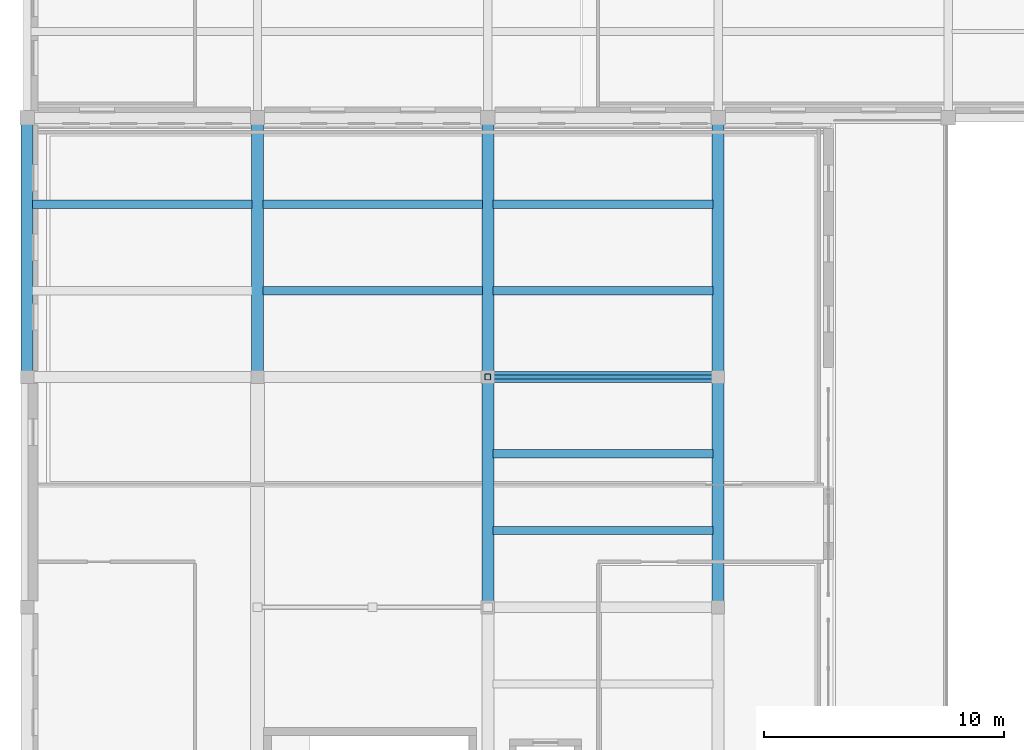
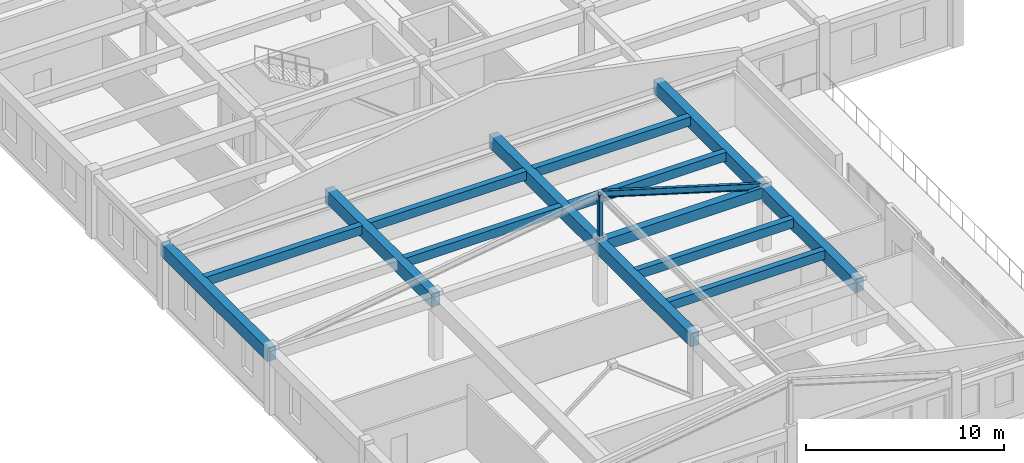
# One storey, part 3 of 31: 15 beams, 1 member.
"""IFC4 building model written with IfcOpenShell, lengths in metres."""

from ifc_helpers import new_model, si_unit, direction, frame, origin, origin_2d, place, context, subcontext, project, spatial, rectangle, hollow_rectangle, i_section, extrude, material, material_profile, profile_set, type_object, element, save


model = new_model("IFC4")

# Units and contexts
model_context = context("Model", 3, precision=1e-05, world=origin(), true_north=direction((0.0, 1.0)))
body_context = subcontext(model_context, "Body", "Model", "MODEL_VIEW")
ifc_project = project(units=[si_unit("LENGTHUNIT", "METRE"), si_unit("AREAUNIT", "SQUARE_METRE"), si_unit("VOLUMEUNIT", "CUBIC_METRE"), si_unit("PLANEANGLEUNIT", "RADIAN"), si_unit("MASSUNIT", "GRAM", prefix="KILO")], contexts=[model_context])

# Site, building, storey
site_placement = place(None, origin())
site = spatial("IfcSite", under=ifc_project, at=site_placement, CompositionType="ELEMENT")
building_placement = place(site_placement, origin())
building = spatial("IfcBuilding", under=site, at=building_placement, Name="Tarnavel Promenade Courthouse", CompositionType="ELEMENT")
storey_placement = place(building_placement, frame((0.0, 0.0, 18.60009765625)))
storey = spatial("IfcBuildingStorey", under=building, at=storey_placement, Name="L05", CompositionType="ELEMENT", Elevation=18.60009765625)

# Beams
ifc_material_1 = material(Name="Concrete C40/50", Category="concrete")
ifc_material_profile_1 = material_profile(ifc_material_1, rectangle(XDim=0.35009765625, YDim=0.550048828125, at=origin_2d()), Name="PT 350x550")
ifc_profile_set_1 = profile_set([ifc_material_profile_1], Name="Concrete C40/50")
beam_type_1 = type_object("IfcBeamType", Name="Concrete C40/50 BM-PT-350x550 (PT 350x550)", PredefinedType="JOIST", material=ifc_profile_set_1)
for number, where, z_axis, x_axis, name in (
    (1, (19.419921875, 50.0, 3.679931640625), (1.0, 0.0, 0.0), (0.0, 1.0, 0.0), "L05 Secondary Floor Rib 2322"),
    (2, (19.419921875, 53.199951171875, 3.679931640625), (1.0, 0.0, 0.0), (0.0, 1.0, 0.0), "L05 Secondary Floor Rib 2323"),
):
    element("IfcBeam", number, at=place(storey_placement, frame(where, z_axis=z_axis, x_axis=x_axis)), inside=storey, type_object=beam_type_1, Name=name, PredefinedType="JOIST", context=body_context, shape_type="SweptSolid", body=[
        extrude(rectangle(XDim=0.35009765625, YDim=0.550048828125, at=origin_2d()), origin(), (0.0, 0.0, 1.0), 9.16015625),
    ])
for number, where, z_axis, x_axis, name in (
    (3, (0.219970703125, 63.60009765625, 3.679931640625), (1.0, 0.0, 0.0), (0.0, 1.0, 0.0), "L05 Secondary Floor Rib 2325"),
    (4, (9.820068359375, 60.0, 3.679931640625), (1.0, 0.0, 0.0), (0.0, 1.0, 0.0), "L05 Secondary Floor Rib 2326"),
    (5, (9.820068359375, 63.60009765625, 3.679931640625), (1.0, 0.0, 0.0), (0.0, 1.0, 0.0), "L05 Secondary Floor Rib 2327"),
):
    element("IfcBeam", number, at=place(storey_placement, frame(where, z_axis=z_axis, x_axis=x_axis)), inside=storey, type_object=beam_type_1, Name=name, PredefinedType="JOIST", context=body_context, shape_type="SweptSolid", body=[
        extrude(rectangle(XDim=0.35009765625, YDim=0.550048828125, at=origin_2d()), origin(), (0.0, 0.0, 1.0), 9.159912109375),
    ])
for number, where, z_axis, x_axis, name in (
    (6, (19.419921875, 60.0, 3.679931640625), (1.0, 0.0, 0.0), (0.0, 1.0, 0.0), "L05 Secondary Floor Rib 2328"),
    (7, (19.419921875, 63.60009765625, 3.679931640625), (1.0, 0.0, 0.0), (0.0, 1.0, 0.0), "L05 Secondary Floor Rib 2329"),
):
    element("IfcBeam", number, at=place(storey_placement, frame(where, z_axis=z_axis, x_axis=x_axis)), inside=storey, type_object=beam_type_1, Name=name, PredefinedType="JOIST", context=body_context, shape_type="SweptSolid", body=[
        extrude(rectangle(XDim=0.35009765625, YDim=0.550048828125, at=origin_2d()), origin(), (0.0, 0.0, 1.0), 9.16015625),
    ])
ifc_material_profile_2 = material_profile(ifc_material_1, rectangle(XDim=0.5, YDim=0.800048828125, at=origin_2d()), Name="PT 500x800")
ifc_profile_set_2 = profile_set([ifc_material_profile_2], Name="Concrete C40/50")
beam_type_2 = type_object("IfcBeamType", Name="Concrete C40/50 BM-PT-500x800 (PT 500x800)", PredefinedType="T_BEAM", material=ifc_profile_set_2)
for number, where, z_axis, x_axis, name in (
    (8, (0.0, 56.39990234375, 3.554931640625), (0.0, 1.0, 0.0), (-1.0, 0.0, 0.0), "L05 Transverse Girder 2278"),
    (9, (9.60009765625, 56.39990234375, 3.554931640625), (0.0, 1.0, 0.0), (-1.0, 0.0, 0.0), "L05 Transverse Girder 2284"),
):
    element("IfcBeam", number, at=place(storey_placement, frame(where, z_axis=z_axis, x_axis=x_axis)), inside=storey, type_object=beam_type_2, Name=name, PredefinedType="T_BEAM", context=body_context, shape_type="SweptSolid", body=[
        extrude(rectangle(XDim=0.5, YDim=0.800048828125, at=origin_2d()), origin(), (0.0, 0.0, 1.0), 10.800048828125),
    ])
beam_1_placement = place(storey_placement, frame((19.199951171875, 46.800048828125, 3.554931640625), z_axis=(0.0, 1.0, 0.0), x_axis=(-1.0, 0.0, 0.0)))
element("IfcBeam", 10, at=beam_1_placement, inside=storey, type_object=beam_type_2, Name="L05 Transverse Girder 2290", PredefinedType="T_BEAM", context=body_context, shape_type="SweptSolid", body=[
    extrude(rectangle(XDim=0.5, YDim=0.800048828125, at=origin_2d()), origin(), (0.0, 0.0, 1.0), 9.599853515625),
])
beam_2_placement = place(storey_placement, frame((19.199951171875, 56.39990234375, 3.554931640625), z_axis=(0.0, 1.0, 0.0), x_axis=(-1.0, 0.0, 0.0)))
element("IfcBeam", 11, at=beam_2_placement, inside=storey, type_object=beam_type_2, Name="L05 Transverse Girder 2291", PredefinedType="T_BEAM", context=body_context, shape_type="SweptSolid", body=[
    extrude(rectangle(XDim=0.5, YDim=0.800048828125, at=origin_2d()), origin(), (0.0, 0.0, 1.0), 10.800048828125),
])
beam_3_placement = place(storey_placement, frame((28.800048828125, 46.800048828125, 3.554931640625), z_axis=(0.0, 1.0, 0.0), x_axis=(-1.0, 0.0, 0.0)))
element("IfcBeam", 12, at=beam_3_placement, inside=storey, type_object=beam_type_2, Name="L05 Transverse Girder 2297", PredefinedType="T_BEAM", context=body_context, shape_type="SweptSolid", body=[
    extrude(rectangle(XDim=0.5, YDim=0.800048828125, at=origin_2d()), origin(), (0.0, 0.0, 1.0), 9.599853515625),
])
beam_4_placement = place(storey_placement, frame((28.800048828125, 56.39990234375, 3.554931640625), z_axis=(0.0, 1.0, 0.0), x_axis=(-1.0, 0.0, 0.0)))
element("IfcBeam", 13, at=beam_4_placement, inside=storey, type_object=beam_type_2, Name="L05 Transverse Girder 2298", PredefinedType="T_BEAM", context=body_context, shape_type="SweptSolid", body=[
    extrude(rectangle(XDim=0.5, YDim=0.800048828125, at=origin_2d()), origin(), (0.0, 0.0, 1.0), 10.800048828125),
])
ifc_material_profile_3 = material_profile(ifc_material_1, rectangle(XDim=0.449951171875, YDim=0.64990234375, at=origin_2d()), Name="RC 450x650")
ifc_profile_set_3 = profile_set([ifc_material_profile_3], Name="Concrete C40/50")
beam_type_3 = type_object("IfcBeamType", Name="Concrete C40/50 BM-RC-450x650 (RC 450x650)", PredefinedType="T_BEAM", material=ifc_profile_set_3)
beam_5_placement = place(storey_placement, frame((19.199951171875, 56.39990234375, 3.6298828125), z_axis=(1.0, 0.0, 0.0), x_axis=(0.0, 1.0, 0.0)))
element("IfcBeam", 14, at=beam_5_placement, inside=storey, type_object=beam_type_3, Name="L05 Primary Longitudinal Beam 2232", PredefinedType="T_BEAM", context=body_context, shape_type="SweptSolid", body=[
    extrude(rectangle(XDim=0.449951171875, YDim=0.64990234375, at=origin_2d()), origin(), (0.0, 0.0, 1.0), 9.60009765625),
])
ifc_material_2 = material(Name="Steel S355J2", Category="steel")
ifc_material_profile_4 = material_profile(ifc_material_2, i_section(OverallWidth=0.179931640625, OverallDepth=0.39990234375, WebThickness=0.008544921875, FlangeThickness=0.013427734375, FilletRadius=0.02099609375, at=origin_2d()), Name="IPE 400")
ifc_profile_set_4 = profile_set([ifc_material_profile_4], Name="Steel S355J2")
beam_type_4 = type_object("IfcBeamType", Name="Steel S355J2 BM-ST-IPE400 (IPE 400)", PredefinedType="BEAM", material=ifc_profile_set_4)
beam_6_placement = place(storey_placement, frame((19.294921875, 56.39990234375, 6.719970703125), z_axis=(0.957588348771, 0.0, -0.288139817272), x_axis=(0.0, 1.0, 0.0)))
element("IfcBeam", 15, at=beam_6_placement, inside=storey, type_object=beam_type_4, Name="Library Roof Rafter E", PredefinedType="BEAM", context=body_context, shape_type="SweptSolid", body=[
    extrude(i_section(OverallWidth=0.179931640625, OverallDepth=0.39990234375, WebThickness=0.008544921875, FlangeThickness=0.013427734375, FilletRadius=0.02099609375, at=origin_2d()), origin(), (0.0, 0.0, 1.0), 9.926025390625),
])

# Member
ifc_material_profile_5 = material_profile(ifc_material_2, hollow_rectangle(XDim=0.25, YDim=0.25, WallThickness=0.012451171875, InnerFilletRadius=0.012451171875, OuterFilletRadius=0.02490234375, at=origin_2d()), Name="SHS 250x250x12.5")
ifc_profile_set_5 = profile_set([ifc_material_profile_5], Name="Steel S355J2")
member_type = type_object("IfcMemberType", Name="Steel S355J2 MEM-STR-SHS250 (SHS 250x250x12.5)", PredefinedType="STRUT", material=ifc_profile_set_5)
member_placement = place(storey_placement, frame((19.199951171875, 56.39990234375, 3.7998046875), z_axis=(0.0, 0.0, 1.0), x_axis=(1.0, 0.0, 0.0)))
element("IfcMember", 16, at=member_placement, inside=storey, type_object=member_type, Name="Library Ridge King-Post", PredefinedType="STRUT", context=body_context, shape_type="SweptSolid", body=[
    extrude(hollow_rectangle(XDim=0.25, YDim=0.25, WallThickness=0.012451171875, InnerFilletRadius=0.012451171875, OuterFilletRadius=0.02490234375, at=origin_2d()), origin(), (0.0, 0.0, 1.0), 2.960205078125),
])

save(model, "model.ifc")
